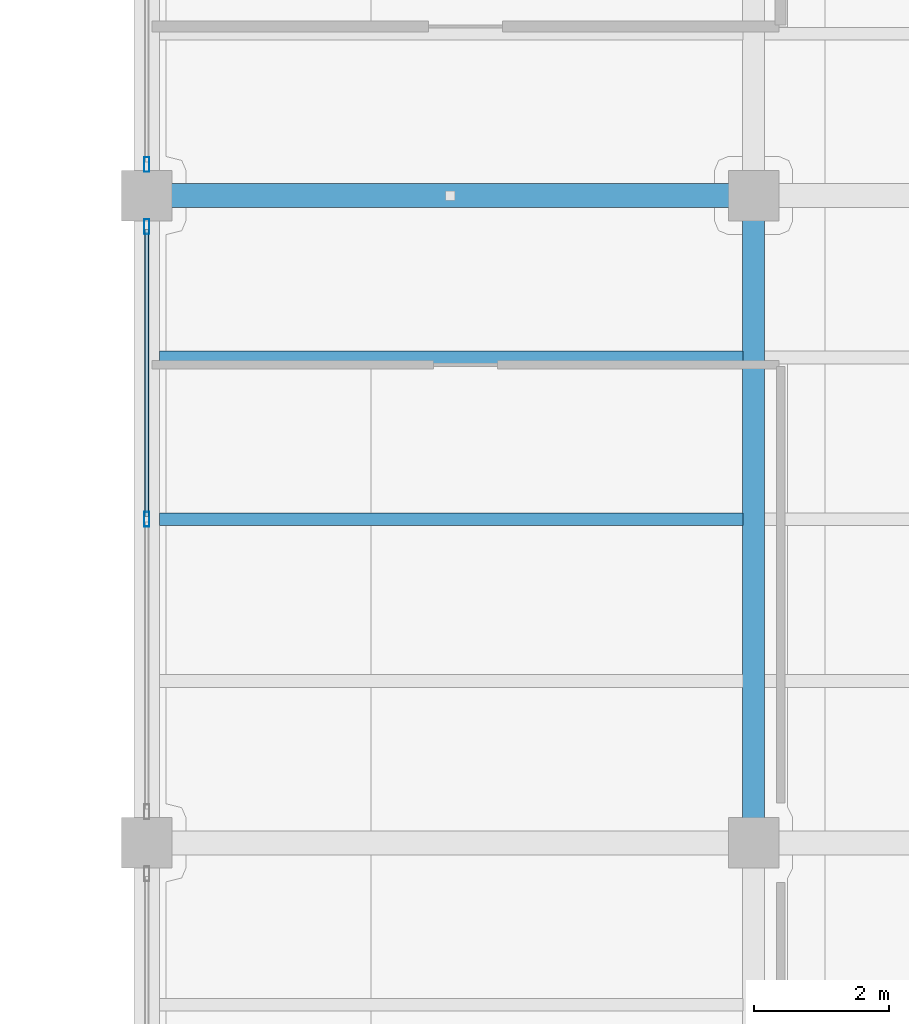
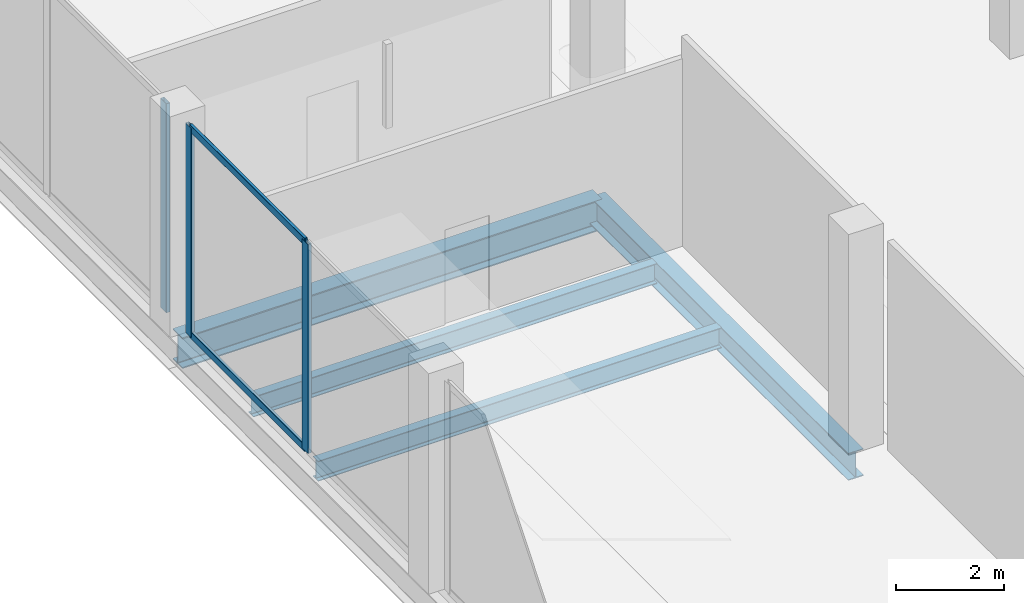
# One storey, part 7 of 47: 5 members, 4 beams, 2 elements without a shape of their own.
"""IFC4 building model written with IfcOpenShell, lengths in metres."""

from ifc_helpers import new_model, si_unit, direction, frame, origin, origin_2d, place, context, subcontext, project, spatial, hollow_rectangle, i_section, extrude, material, layer, layer_set, material_profile, profile_set, type_object, element, aggregate, save


model = new_model("IFC4")

# Units and contexts
model_context = context("Model", 3, precision=1e-05, world=origin(), true_north=direction((0.0, 1.0)))
body_context = subcontext(model_context, "Body", "Model", "MODEL_VIEW")
ifc_project = project(units=[si_unit("LENGTHUNIT", "METRE"), si_unit("AREAUNIT", "SQUARE_METRE"), si_unit("VOLUMEUNIT", "CUBIC_METRE"), si_unit("PLANEANGLEUNIT", "RADIAN"), si_unit("MASSUNIT", "GRAM", prefix="KILO")], contexts=[model_context])

# Site, building, storey
site_placement = place(None, origin())
site = spatial("IfcSite", under=ifc_project, at=site_placement, CompositionType="ELEMENT")
building_placement = place(site_placement, origin())
building = spatial("IfcBuilding", under=site, at=building_placement, Name="Qorvath Tower", CompositionType="ELEMENT")
storey_placement = place(building_placement, frame((0.0, 0.0, 12.0)))
storey = spatial("IfcBuildingStorey", under=building, at=storey_placement, Name="L02", CompositionType="ELEMENT", Elevation=12.0)

# Beams
ifc_material_1 = material(Name="Steel ASTM A992 Grade 50", Category="steel")
ifc_material_profile_1 = material_profile(ifc_material_1, i_section(OverallWidth=0.35595703125, OverallDepth=0.696044921875, WebThickness=0.015380859375, FlangeThickness=0.02490234375, FilletRadius=0.01806640625, at=origin_2d()), Name="W27x146")
ifc_profile_set_1 = profile_set([ifc_material_profile_1], Name="Steel ASTM A992 Grade 50")
beam_type_1 = type_object("IfcBeamType", Name="BM-FG4", PredefinedType="BEAM", material=ifc_profile_set_1)
beam_1_placement = place(storey_placement, frame((32.39990234375, 0.0, -0.60791015625), z_axis=(1.0, 0.0, 0.0), x_axis=(0.0, 1.0, 0.0)))
element("IfcBeam", 1, at=beam_1_placement, inside=storey, type_object=beam_type_1, Name="Library E-W Girder L02-5-1", PredefinedType="BEAM", context=body_context, shape_type="SweptSolid", body=[
    extrude(i_section(OverallWidth=0.35595703125, OverallDepth=0.696044921875, WebThickness=0.015380859375, FlangeThickness=0.02490234375, FilletRadius=0.01806640625, at=origin_2d()), origin(), (0.0, 0.0, 1.0), 9.0),
])
ifc_material_2 = material(Name="Steel ASTM A992 Grade 50", Category="steel")
ifc_material_profile_2 = material_profile(ifc_material_2, i_section(OverallWidth=0.324951171875, OverallDepth=0.615966796875, WebThickness=0.013916015625, FlangeThickness=0.021484375, FilletRadius=0.01611328125, at=origin_2d()), Name="W24x117")
ifc_profile_set_2 = profile_set([ifc_material_profile_2], Name="Steel ASTM A992 Grade 50")
beam_type_2 = type_object("IfcBeamType", Name="BM-FG5", PredefinedType="BEAM", material=ifc_profile_set_2)
beam_2_placement = place(storey_placement, frame((41.39990234375, -9.60009765625, -0.568115234375), z_axis=(0.0, 1.0, 0.0), x_axis=(-1.0, 0.0, 0.0)))
element("IfcBeam", 2, at=beam_2_placement, inside=storey, type_object=beam_type_2, Name="Library N-S Girder L02-2-4", PredefinedType="BEAM", context=body_context, shape_type="SweptSolid", body=[
    extrude(i_section(OverallWidth=0.324951171875, OverallDepth=0.615966796875, WebThickness=0.013916015625, FlangeThickness=0.021484375, FilletRadius=0.01611328125, at=origin_2d()), origin(), (0.0, 0.0, 1.0), 9.60009765625),
])
ifc_material_3 = material(Name="Steel ASTM A992 Grade 50", Category="steel")
ifc_material_profile_3 = material_profile(ifc_material_3, i_section(OverallWidth=0.18994140625, OverallDepth=0.45703125, WebThickness=0.009033203125, FlangeThickness=0.014404296875, FilletRadius=0.011962890625, at=origin_2d()), Name="W18x50")
ifc_profile_set_3 = profile_set([ifc_material_profile_3], Name="Steel ASTM A992 Grade 50")
beam_type_3 = type_object("IfcBeamType", Name="BM-FJ2", PredefinedType="JOIST", material=ifc_profile_set_3)
for number, where, z_axis, x_axis, name in (
    (3, (32.58837890625, -4.800048828125, -0.488525390625), (1.0, 0.0, 0.0), (0.0, 1.0, 0.0), "Library Stack Joist L02-4.2-1"),
    (4, (32.58837890625, -2.39990234375, -0.488525390625), (1.0, 0.0, 0.0), (0.0, 1.0, 0.0), "Library Stack Joist L02-4.3-1"),
):
    element("IfcBeam", number, at=place(storey_placement, frame(where, z_axis=z_axis, x_axis=x_axis)), inside=storey, type_object=beam_type_3, Name=name, PredefinedType="JOIST", context=body_context, shape_type="SweptSolid", body=[
        extrude(i_section(OverallWidth=0.18994140625, OverallDepth=0.45703125, WebThickness=0.009033203125, FlangeThickness=0.014404296875, FilletRadius=0.011962890625, at=origin_2d()), origin(), (0.0, 0.0, 1.0), 8.651123046875),
    ])

# Curtain wall, members
ifc_material_4 = material(Name="Anodised aluminium and triple low-E glass", Category="aluminium")
ifc_layer = layer(ifc_material_4, 0.179931640625)
ifc_layer_set = layer_set([ifc_layer], Name="CW-SYS-6")
curtain_wall_type = type_object("IfcCurtainWallType", Name="CW-SYS-6", PredefinedType="NOTDEFINED", material=ifc_layer_set)
curtain_wall_1_placement = place(storey_placement, origin())
curtain_wall_1 = element("IfcCurtainWall", 5, at=curtain_wall_1_placement, inside=storey, type_object=curtain_wall_type, Name="Curtain Wall CW-6 CW-LIB-W-L02-4", PredefinedType="NOTDEFINED")
ifc_material_5 = material(Name="Anodised aluminium 6063-T6", Category="aluminium")
ifc_material_profile_4 = material_profile(ifc_material_5, hollow_rectangle(XDim=0.080078125, YDim=0.219970703125, WallThickness=0.00439453125, InnerFilletRadius=0.00439453125, OuterFilletRadius=0.009033203125, at=origin_2d()), Name="CWM LIB 220x80")
ifc_profile_set_4 = profile_set([ifc_material_profile_4], Name="Anodised aluminium 6063-T6")
member_type_1 = type_object("IfcMemberType", Name="CWM-LIB", PredefinedType="MULLION", material=ifc_profile_set_4)
member_1_placement = place(storey_placement, frame((32.39990234375, -4.7998046875, 0.0), z_axis=(0.0, 0.0, 1.0), x_axis=(-1.0, 0.0, 0.0)))
member_1 = element("IfcMember", 6, at=member_1_placement, type_object=member_type_1, Name="CW-6 mullion 2", PredefinedType="MULLION", context=body_context, shape_type="SweptSolid", body=[
    extrude(hollow_rectangle(XDim=0.080078125, YDim=0.219970703125, WallThickness=0.00439453125, InnerFilletRadius=0.00439453125, OuterFilletRadius=0.009033203125, at=origin_2d()), origin(), (0.0, 0.0, 1.0), 4.739990234375),
])
member_2_placement = place(storey_placement, frame((32.39990234375, -0.4599609375, 0.0), z_axis=(0.0, 0.0, 1.0), x_axis=(-1.0, 0.0, 0.0)))
member_2 = element("IfcMember", 7, at=member_2_placement, type_object=member_type_1, Name="CW-6 mullion 3", PredefinedType="MULLION", context=body_context, shape_type="SweptSolid", body=[
    extrude(hollow_rectangle(XDim=0.080078125, YDim=0.219970703125, WallThickness=0.00439453125, InnerFilletRadius=0.00439453125, OuterFilletRadius=0.009033203125, at=origin_2d()), origin(), (0.0, 0.0, 1.0), 4.739990234375),
])

# Curtain wall, member
curtain_wall_2_placement = place(storey_placement, origin())
curtain_wall_2 = element("IfcCurtainWall", 8, at=curtain_wall_2_placement, inside=storey, type_object=curtain_wall_type, Name="Curtain Wall CW-6 CW-LIB-W-L02-5", PredefinedType="NOTDEFINED")
member_3_placement = place(storey_placement, frame((32.39990234375, 0.4599609375, 0.0), z_axis=(0.0, 0.0, 1.0), x_axis=(-1.0, 0.0, 0.0)))
member_3 = element("IfcMember", 9, at=member_3_placement, type_object=member_type_1, Name="CW-6 mullion 1", PredefinedType="MULLION", context=body_context, shape_type="SweptSolid", body=[
    extrude(hollow_rectangle(XDim=0.080078125, YDim=0.219970703125, WallThickness=0.00439453125, InnerFilletRadius=0.00439453125, OuterFilletRadius=0.009033203125, at=origin_2d()), origin(), (0.0, 0.0, 1.0), 4.739990234375),
])
aggregate(curtain_wall_2, [member_3])

# Member
ifc_material_6 = material(Name="Anodised aluminium 6063-T6", Category="aluminium")
ifc_material_profile_5 = material_profile(ifc_material_6, hollow_rectangle(XDim=0.06494140625, YDim=0.159912109375, WallThickness=0.00341796875, InnerFilletRadius=0.00341796875, OuterFilletRadius=0.007080078125, at=origin_2d()), Name="CWT 160x65")
ifc_profile_set_5 = profile_set([ifc_material_profile_5], Name="Anodised aluminium 6063-T6")
member_type_2 = type_object("IfcMemberType", Name="CWT-160", PredefinedType="USERDEFINED", material=ifc_profile_set_5)
member_4_placement = place(storey_placement, frame((32.39990234375, -4.760009765625, 0.032470703125), z_axis=(0.0, 1.0, 0.0), x_axis=(-1.0, 0.0, 0.0)))
member_4 = element("IfcMember", 10, at=member_4_placement, type_object=member_type_2, Name="CW-6 transom 2.1", ObjectType="TRANSOM", PredefinedType="USERDEFINED", context=body_context, shape_type="SweptSolid", body=[
    extrude(hollow_rectangle(XDim=0.06494140625, YDim=0.159912109375, WallThickness=0.00341796875, InnerFilletRadius=0.00341796875, OuterFilletRadius=0.007080078125, at=origin_2d()), origin(), (0.0, 0.0, 1.0), 4.260009765625),
])

member_5_placement = place(storey_placement, frame((32.39990234375, -4.760009765625, 4.70751953125), z_axis=(0.0, 1.0, 0.0), x_axis=(-1.0, 0.0, 0.0)))
member_5 = element("IfcMember", 11, at=member_5_placement, type_object=member_type_2, Name="CW-6 transom 2.2", ObjectType="TRANSOM", PredefinedType="USERDEFINED", context=body_context, shape_type="SweptSolid", body=[
    extrude(hollow_rectangle(XDim=0.06494140625, YDim=0.159912109375, WallThickness=0.00341796875, InnerFilletRadius=0.00341796875, OuterFilletRadius=0.007080078125, at=origin_2d()), origin(), (0.0, 0.0, 1.0), 4.260009765625),
])

aggregate(curtain_wall_1, [member_1, member_2, member_4, member_5])

save(model, "model.ifc")
